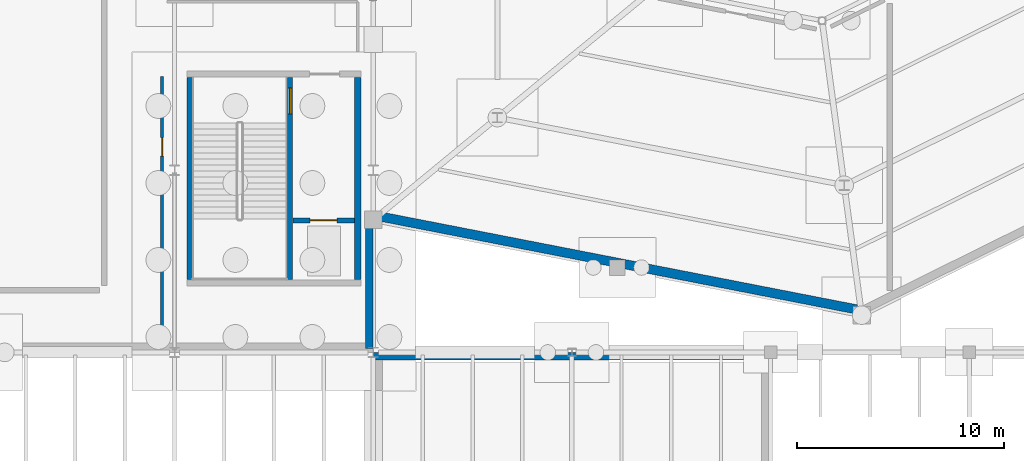
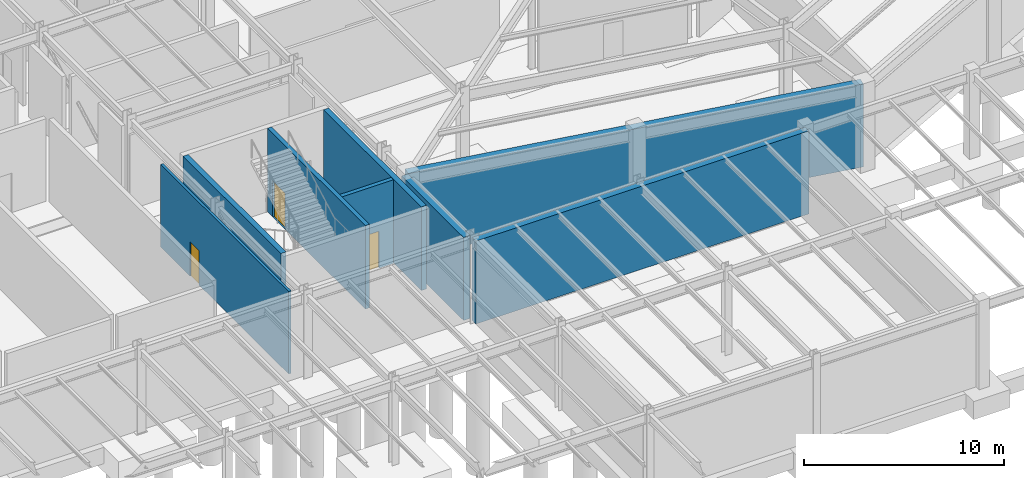
# One storey, part 33 of 48: 8 walls, 3 doors, 3 openings.
"""IFC4 building model written with IfcOpenShell, lengths in metres."""

from ifc_helpers import new_model, si_unit, direction, frame, frame_2d, origin, place, context, subcontext, project, spatial, rectangle, extrude, material, layer, layer_set, type_object, element, fill, save


model = new_model("IFC4")

# Units and contexts
model_context = context("Model", 3, precision=1e-05, world=origin(), true_north=direction((0.0, 1.0)))
body_context = subcontext(model_context, "Body", "Model", "MODEL_VIEW")
ifc_project = project(units=[si_unit("LENGTHUNIT", "METRE"), si_unit("AREAUNIT", "SQUARE_METRE"), si_unit("VOLUMEUNIT", "CUBIC_METRE"), si_unit("PLANEANGLEUNIT", "RADIAN"), si_unit("MASSUNIT", "GRAM", prefix="KILO")], contexts=[model_context])

# Site, building, storey
site_placement = place(None, origin())
site = spatial("IfcSite", under=ifc_project, at=site_placement, CompositionType="ELEMENT")
building_placement = place(site_placement, origin())
building = spatial("IfcBuilding", under=site, at=building_placement, Name="Sarnbrook Museum", CompositionType="ELEMENT")
storey_placement = place(building_placement, frame((0.0, 0.0, -5.39990234375)))
storey = spatial("IfcBuildingStorey", under=building, at=storey_placement, Name="B1", CompositionType="ELEMENT", Elevation=-5.39990234375)

# Walls
ifc_material_1 = material(Name="Concrete N50 (AS 3600, f'c = 50 MPa)", Category="concrete")
ifc_layer_1 = layer(ifc_material_1, 0.300048828125)
ifc_layer_set_1 = layer_set([ifc_layer_1], Name="Concrete N50 (AS 3600, f'c = 50 MPa)")
wall_type_1 = type_object("IfcWallType", Name="CoreWall_CWRC", PredefinedType="SHEAR", material=ifc_layer_set_1)
for number, where, z_axis, x_axis, name in (
    (1, (118.449951171875, 60.31005859375, 0.0), (0.0, 0.0, 1.0), (0.0, 1.0, 0.0), "Core C1 Shear Wall E B1"),
    (2, (110.35009765625, 70.090087890625, 0.0), (0.0, 0.0, 1.0), (0.0, -1.0, 0.0), "Core C1 Shear Wall W B1"),
):
    element("IfcWall", number, at=place(storey_placement, frame(where, z_axis=z_axis, x_axis=x_axis)), inside=storey, type_object=wall_type_1, Name=name, PredefinedType="SHEAR", context=body_context, shape_type="SweptSolid", body=[
        extrude(rectangle(XDim=9.780029296875, YDim=0.300048828125, at=frame_2d((4.89013671875, 0.0))), origin(), (0.0, 0.0, 1.0), 5.094970703125),
    ])

# Wall, opening, door
ifc_material_2 = material(Name="Fire-Rated Acoustic Gypsum Plasterboard")
ifc_layer_2 = layer(ifc_material_2, 0.14990234375)
ifc_layer_set_2 = layer_set([ifc_layer_2], Name="Fire-Rated Acoustic Gypsum Plasterboard")
wall_type_2 = type_object("IfcWallType", Name="PartWall_P150", PredefinedType="PARTITIONING", material=ifc_layer_set_2)
wall_1_placement = place(storey_placement, frame((109.0, 57.330078125, 0.0), z_axis=(0.0, 0.0, 1.0), x_axis=(0.0, 1.0, 0.0)))
wall_1 = element("IfcWall", 3, at=wall_1_placement, inside=storey, type_object=wall_type_2, Name="Interior Partition Wall B1-0046", PredefinedType="PARTITIONING", context=body_context, shape_type="SweptSolid", body=[
    extrude(rectangle(XDim=12.7900390625, YDim=0.14990234375, at=frame_2d((6.39501953125, 0.0))), origin(), (0.0, 0.0, 1.0), 5.02978515625),
])
opening_1_placement = place(wall_1_placement, frame((8.949951171875, 0.0, 0.0)))
opening_1 = element("IfcOpeningElement", 4, at=opening_1_placement, cuts=wall_1, Name="Opening D-B1-016", PredefinedType="OPENING", context=body_context, shape_type="SweptSolid", body=[
    extrude(rectangle(XDim=0.89990234375, YDim=2.080078125, at=frame_2d((0.449951171875, 1.0400390625))), frame((0.0, 0.0849609375, 0.0), z_axis=(0.0, -1.0, 0.0), x_axis=(1.0, 0.0, 0.0)), (0.0, 0.0, 1.0), 0.169921875),
])
ifc_material_3 = material(Name="Tasmanian Oak Acoustic Timber", Category="wood")
door_type_1 = type_object("IfcDoorType", Name="IntDoor_DT01", OperationType="NOTDEFINED", PredefinedType="DOOR", material=ifc_material_3)
door_1_placement = place(opening_1_placement, origin())
door_1 = element("IfcDoor", 5, at=door_1_placement, inside=storey, type_object=door_type_1, Name="Crate Acclimatisation Store B1-11 Door D-B1-016", OperationType="SINGLE_SWING_LEFT", OverallHeight=2.080078125, OverallWidth=0.89990234375, PredefinedType="DOOR", context=body_context, shape_type="SweptSolid", body=[
    extrude(rectangle(XDim=0.89990234375, YDim=2.080078125, at=frame_2d((0.449951171875, 1.0400390625))), frame((0.0, 0.02490234375, 0.0), z_axis=(0.0, -1.0, 0.0), x_axis=(1.0, 0.0, 0.0)), (0.0, 0.0, 1.0), 0.050048828125),
])
fill(opening_1, door_1)

ifc_material_4 = material(Name="Concrete N40 (AS 3600, f'c = 40 MPa)", Category="concrete")
ifc_layer_3 = layer(ifc_material_4, 0.239990234375)
ifc_layer_set_3 = layer_set([ifc_layer_3], Name="Concrete N40 (AS 3600, f'c = 40 MPa)")
wall_type_3 = type_object("IfcWallType", Name="ShaftWall_SWRC", PredefinedType="SOLIDWALL", material=ifc_layer_set_3)
wall_2_placement = place(storey_placement, frame((115.18994140625, 60.31005859375, 0.0), z_axis=(0.0, 0.0, 1.0), x_axis=(0.0, 1.0, 0.0)))
wall_2 = element("IfcWall", 6, at=wall_2_placement, inside=storey, type_object=wall_type_3, Name="Stairwell ST1 Fire Shaft Wall B1", PredefinedType="SOLIDWALL", context=body_context, shape_type="SweptSolid", body=[
    extrude(rectangle(XDim=9.780029296875, YDim=0.239990234375, at=frame_2d((4.89013671875, 0.0))), origin(), (0.0, 0.0, 1.0), 5.094970703125),
])
opening_2_placement = place(wall_2_placement, frame((8.014892578125, 0.0, 0.0)))
opening_2 = element("IfcOpeningElement", 7, at=opening_2_placement, cuts=wall_2, Name="Opening D-ST-ST1-B1", PredefinedType="OPENING", context=body_context, shape_type="SweptSolid", body=[
    extrude(rectangle(XDim=1.25, YDim=2.199951171875, at=frame_2d((0.625, 1.10009765625))), frame((0.0, 0.1298828125, 0.0), z_axis=(0.0, -1.0, 0.0), x_axis=(1.0, 0.0, 0.0)), (0.0, 0.0, 1.0), 0.260009765625),
])
door_type_2 = type_object("IfcDoorType", Name="FireDoor_FD120", OperationType="NOTDEFINED", PredefinedType="DOOR", material=ifc_material_3)
door_2_placement = place(opening_2_placement, origin())
door_2 = element("IfcDoor", 8, at=door_2_placement, inside=storey, type_object=door_type_2, Name="Exit Stair ST1 Fire Door B1", OperationType="SINGLE_SWING_LEFT", OverallHeight=2.199951171875, OverallWidth=1.25, PredefinedType="DOOR", context=body_context, shape_type="SweptSolid", body=[
    extrude(rectangle(XDim=1.25, YDim=2.199951171875, at=frame_2d((0.625, 1.10009765625))), frame((0.0, 0.02490234375, 0.0), z_axis=(0.0, -1.0, 0.0), x_axis=(1.0, 0.0, 0.0)), (0.0, 0.0, 1.0), 0.050048828125),
])
fill(opening_2, door_2)

wall_3_placement = place(storey_placement, frame((115.320068359375, 63.179931640625, 0.0), z_axis=(0.0, 0.0, 1.0), x_axis=(1.0, 0.0, 0.0)))
wall_3 = element("IfcWall", 9, at=wall_3_placement, inside=storey, type_object=wall_type_3, Name="Lift EL1 Shaft Front Wall B1", PredefinedType="SOLIDWALL", context=body_context, shape_type="SweptSolid", body=[
    extrude(rectangle(XDim=2.969970703125, YDim=0.239990234375, at=frame_2d((1.48486328125, 0.0))), origin(), (0.0, 0.0, 1.0), 5.094970703125),
])
opening_3_placement = place(wall_3_placement, frame((0.8349609375, 0.0, 0.0)))
opening_3 = element("IfcOpeningElement", 10, at=opening_3_placement, cuts=wall_3, Name="Opening LD-EL1-B1", PredefinedType="OPENING", context=body_context, shape_type="SweptSolid", body=[
    extrude(rectangle(XDim=1.300048828125, YDim=2.25, at=frame_2d((0.64990234375, 1.125))), frame((0.0, 0.1298828125, 0.0), z_axis=(0.0, -1.0, 0.0), x_axis=(1.0, 0.0, 0.0)), (0.0, 0.0, 1.0), 0.260009765625),
])
ifc_material_5 = material(Name="Brushed Stainless Steel Grade 316", Category="steel")
door_type_3 = type_object("IfcDoorType", Name="LiftDoor_FF130", OperationType="DOUBLE_DOOR_SLIDING", PredefinedType="DOOR", material=ifc_material_5)
door_3_placement = place(opening_3_placement, origin())
door_3 = element("IfcDoor", 11, at=door_3_placement, inside=storey, type_object=door_type_3, Name="Lift Landing Sliding Door LD-EL1-B1", OperationType="DOUBLE_DOOR_SLIDING", OverallHeight=2.25, OverallWidth=1.300048828125, PredefinedType="DOOR", context=body_context, shape_type="SweptSolid", body=[
    extrude(rectangle(XDim=1.300048828125, YDim=2.25, at=frame_2d((0.64990234375, 1.125))), frame((0.0, 0.02490234375, 0.0), z_axis=(0.0, -1.0, 0.0), x_axis=(1.0, 0.0, 0.0)), (0.0, 0.0, 1.0), 0.050048828125),
])
fill(opening_3, door_3)

# Walls
ifc_layer_4 = layer(ifc_material_4, 0.3798828125)
ifc_layer_set_4 = layer_set([ifc_layer_4], Name="Concrete N40 (AS 3600, f'c = 40 MPa)")
wall_type_4 = type_object("IfcWallType", Name="Wall_RetainingRC380", PredefinedType="USERDEFINED", material=ifc_layer_set_4)
wall_4_placement = place(storey_placement, frame((119.010009765625, 56.99609375, 0.0), z_axis=(0.0, 0.0, 1.0), x_axis=(0.0, 1.0, 0.0)))
element("IfcWall", 12, at=wall_4_placement, inside=storey, type_object=wall_type_4, Name="Basement Perimeter Retaining Wall RW-08", ObjectType="RETAININGWALL", PredefinedType="USERDEFINED", context=body_context, shape_type="SweptSolid", body=[
    extrude(rectangle(XDim=6.203857421875, YDim=0.3798828125, at=frame_2d((3.10205078125, 0.0))), origin(), (0.0, 0.0, 1.0), 5.059814453125),
])
wall_5_placement = place(storey_placement, frame((138.39990234375, 56.610107421875, 0.0), z_axis=(0.0, 0.0, 1.0), x_axis=(-1.0, 0.0, 0.0)))
element("IfcWall", 13, at=wall_5_placement, inside=storey, type_object=wall_type_4, Name="Basement Perimeter Retaining Wall RW-28", ObjectType="RETAININGWALL", PredefinedType="USERDEFINED", context=body_context, shape_type="SweptSolid", body=[
    extrude(rectangle(XDim=19.199951171875, YDim=0.3798828125, at=frame_2d((9.60009765625, 0.0))), origin(), (0.0, 0.0, 1.0), 5.059814453125),
])
ifc_layer_5 = layer(ifc_material_4, 0.449951171875)
ifc_layer_set_5 = layer_set([ifc_layer_5], Name="Concrete N40 (AS 3600, f'c = 40 MPa)")
wall_type_5 = type_object("IfcWallType", Name="Wall_RetainingRC450", PredefinedType="USERDEFINED", material=ifc_layer_set_5)
wall_6_placement = place(storey_placement, frame((119.242919921875, 63.4208984375, 0.0), z_axis=(0.0, 0.0, 1.0), x_axis=(0.981528092823, -0.191318067624, 0.0)))
element("IfcWall", 14, at=wall_6_placement, inside=storey, type_object=wall_type_5, Name="Basement Perimeter Retaining Wall RW-09", ObjectType="RETAININGWALL", PredefinedType="USERDEFINED", context=body_context, shape_type="SweptSolid", body=[
    extrude(rectangle(XDim=24.044189453125, YDim=0.449951171875, at=frame_2d((12.02197265625, 0.0))), origin(), (0.0, 0.0, 1.0), 5.059814453125),
])

save(model, "model.ifc")
